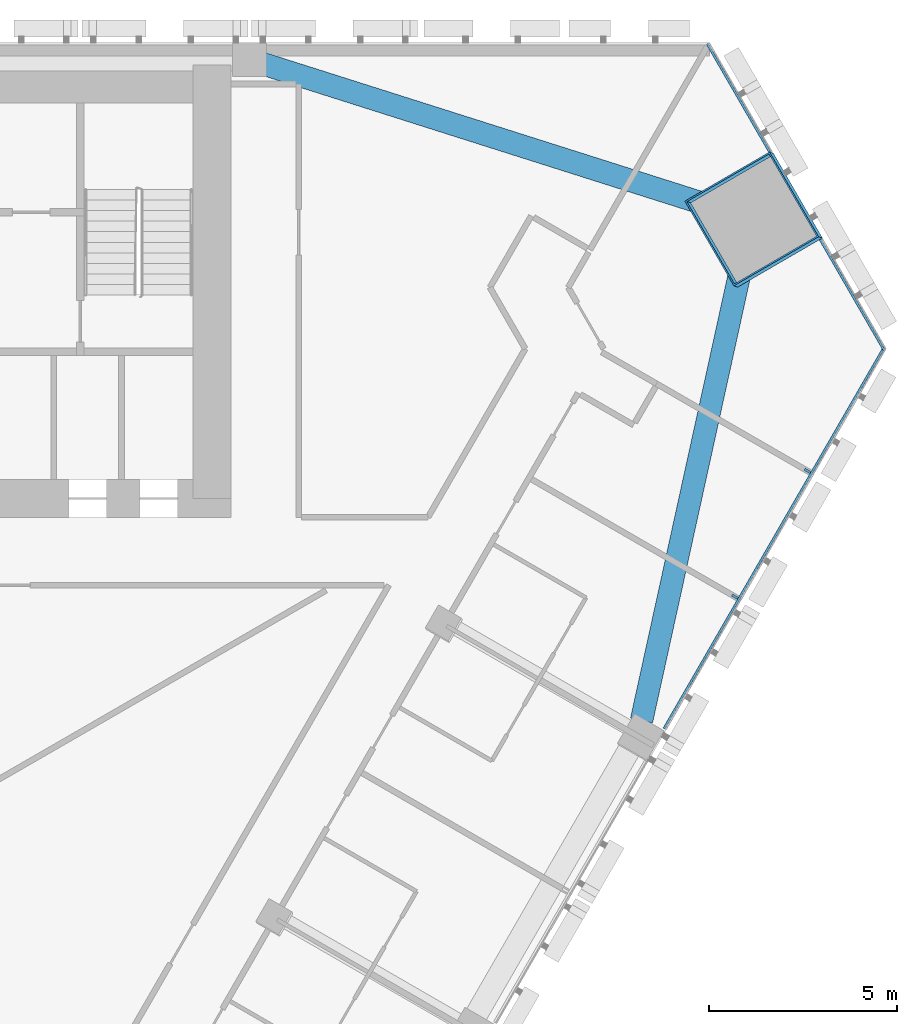
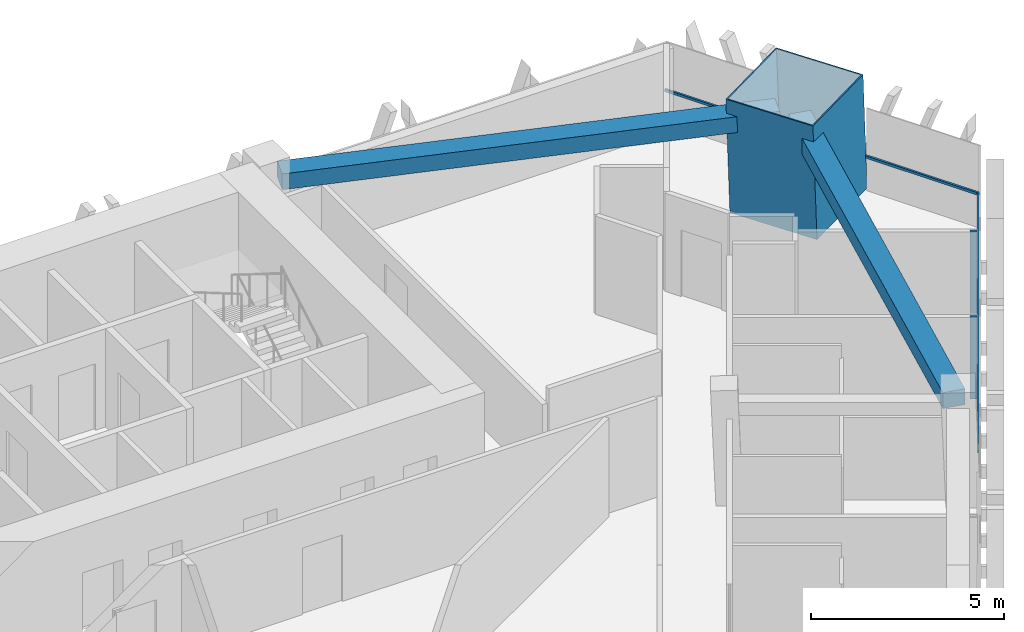
# One storey, part 7 of 17: 6 members, 2 beams, 2 elements without a shape of their own.
"""IFC4 building model written with IfcOpenShell, lengths in metres."""

from ifc_helpers import new_model, si_unit, direction, frame, origin, origin_2d, place, context, subcontext, project, spatial, rectangle, hollow_rectangle, extrude, material, layer, layer_set, material_profile, profile_set, type_object, element, aggregate, save


model = new_model("IFC4")

# Units and contexts
model_context = context("Model", 3, precision=1e-05, world=origin(), true_north=direction((0.0, 1.0)))
body_context = subcontext(model_context, "Body", "Model", "MODEL_VIEW")
ifc_project = project(units=[si_unit("LENGTHUNIT", "METRE"), si_unit("AREAUNIT", "SQUARE_METRE"), si_unit("VOLUMEUNIT", "CUBIC_METRE"), si_unit("PLANEANGLEUNIT", "RADIAN"), si_unit("MASSUNIT", "GRAM", prefix="KILO")], contexts=[model_context])

# Site, building, storey
site_placement = place(None, origin())
site = spatial("IfcSite", under=ifc_project, at=site_placement, CompositionType="ELEMENT")
building_placement = place(site_placement, origin())
building = spatial("IfcBuilding", under=site, at=building_placement, Name="Altiplano Prism Tower", CompositionType="ELEMENT")
storey_placement = place(building_placement, frame((0.0, 0.0, 55.800048828125)))
storey = spatial("IfcBuildingStorey", under=building, at=storey_placement, Name="L13", CompositionType="ELEMENT", Elevation=55.800048828125)

# Curtain wall, members
ifc_material_1 = material(Name="Aluminium and glass", Category="aluminium")
ifc_layer = layer(ifc_material_1, 0.280029296875)
ifc_layer_set = layer_set([ifc_layer], Name="Aluminium and glass")
curtain_wall_type = type_object("IfcCurtainWallType", Name="CW1 typical co-living unitised curtain wall", PredefinedType="NOTDEFINED", material=ifc_layer_set)
curtain_wall_1_placement = place(storey_placement, origin())
curtain_wall_1 = element("IfcCurtainWall", 1, at=curtain_wall_1_placement, inside=storey, type_object=curtain_wall_type, Name="CW1 curtain wall south-east face L13", PredefinedType="NOTDEFINED")
ifc_material_2 = material(Name="Aluminium", Category="aluminium")
ifc_material_profile_1 = material_profile(ifc_material_2, rectangle(XDim=0.179931640625, YDim=0.06494140625, at=origin_2d()), Name="CW1 mullion 65 x 180")
ifc_profile_set_1 = profile_set([ifc_material_profile_1], Name="Aluminium")
member_type_1 = type_object("IfcMemberType", Name="CW1 mullion 65 x 180", PredefinedType="MULLION", material=ifc_profile_set_1)
member_1_placement = place(storey_placement, frame((111.382080078125, 90.291748046875, 0.0), z_axis=(0.0, 0.0, 1.0), x_axis=(-0.866025408218, 0.499999992322, 0.0)))
member_1 = element("IfcMember", 2, at=member_1_placement, type_object=member_type_1, Name="CW1 mullion", PredefinedType="MULLION", context=body_context, shape_type="SweptSolid", body=[
    extrude(rectangle(XDim=0.179931640625, YDim=0.06494140625, at=origin_2d()), origin(), (0.0, 0.0, 1.0), 2.599853515625),
])
member_2_placement = place(storey_placement, frame((113.309326171875, 93.6298828125, 0.0), z_axis=(0.0, 0.0, 1.0), x_axis=(-0.866025408218, 0.499999992322, 0.0)))
member_2 = element("IfcMember", 3, at=member_2_placement, type_object=member_type_1, Name="CW1 mullion", PredefinedType="MULLION", context=body_context, shape_type="SweptSolid", body=[
    extrude(rectangle(XDim=0.179931640625, YDim=0.06494140625, at=origin_2d()), origin(), (0.0, 0.0, 1.0), 2.599853515625),
])
ifc_material_profile_2 = material_profile(ifc_material_2, rectangle(XDim=0.06005859375, YDim=0.080078125, at=origin_2d()), Name="CW1 transom 80 x 60")
ifc_profile_set_2 = profile_set([ifc_material_profile_2], Name="Aluminium")
member_type_2 = type_object("IfcMemberType", Name="CW1 transom 80 x 60", PredefinedType="USERDEFINED", material=ifc_profile_set_2)
member_3_placement = place(storey_placement, frame((109.500732421875, 86.793212890625, 1.099853515625), z_axis=(0.500005931509, 0.866021979199, 0.0), x_axis=(-0.866021979199, 0.500005931509, 0.0)))
member_3 = element("IfcMember", 4, at=member_3_placement, type_object=member_type_2, Name="CW1 transom", ObjectType="TRANSOM", PredefinedType="USERDEFINED", context=body_context, shape_type="SweptSolid", body=[
    extrude(rectangle(XDim=0.06005859375, YDim=0.080078125, at=origin_2d()), origin(), (0.0, 0.0, 1.0), 11.679443359375),
])
aggregate(curtain_wall_1, [member_1, member_2, member_3])

curtain_wall_2_placement = place(storey_placement, origin())
curtain_wall_2 = element("IfcCurtainWall", 5, at=curtain_wall_2_placement, inside=storey, type_object=curtain_wall_type, Name="CW1 curtain wall north-east chamfer L13", PredefinedType="NOTDEFINED")
member_4_placement = place(storey_placement, frame((115.340576171875, 96.837890625, 1.099853515625), z_axis=(-0.499986192784, 0.866033375237, 0.0), x_axis=(-0.866033375237, -0.499986192784, 0.0)))
member_4 = element("IfcMember", 6, at=member_4_placement, type_object=member_type_2, Name="CW1 transom", ObjectType="TRANSOM", PredefinedType="USERDEFINED", context=body_context, shape_type="SweptSolid", body=[
    extrude(rectangle(XDim=0.06005859375, YDim=0.080078125, at=origin_2d()), origin(), (0.0, 0.0, 1.0), 3.39208984375),
])
member_5_placement = place(storey_placement, frame((112.304443359375, 102.0966796875, 1.099853515625), z_axis=(-0.499984060977, 0.866034605988, 0.0), x_axis=(-0.866034605988, -0.499984060977, 0.0)))
member_5 = element("IfcMember", 7, at=member_5_placement, type_object=member_type_2, Name="CW1 transom", ObjectType="TRANSOM", PredefinedType="USERDEFINED", context=body_context, shape_type="SweptSolid", body=[
    extrude(rectangle(XDim=0.06005859375, YDim=0.080078125, at=origin_2d()), origin(), (0.0, 0.0, 1.0), 3.31201171875),
])
aggregate(curtain_wall_2, [member_4, member_5])

# Beams
ifc_material_3 = material(Name="Concrete C60/75", Category="concrete")
ifc_material_profile_3 = material_profile(ifc_material_3, rectangle(XDim=0.60009765625, YDim=0.5, at=origin_2d()), Name="Edge beam 600x500")
ifc_profile_set_3 = profile_set([ifc_material_profile_3], Name="Concrete C60/75")
beam_type = type_object("IfcBeamType", Name="Edge beam 600x500", PredefinedType="SPANDREL", material=ifc_profile_set_3)
beam_1_placement = place(storey_placement, frame((108.902587890625, 87.007080078125, 2.849853515625), z_axis=(0.214554700395, 0.976711974196, 0.0), x_axis=(-0.976711974196, 0.214554700395, 0.0)))
element("IfcBeam", 8, at=beam_1_placement, inside=storey, type_object=beam_type, Name="Edge beam P24-M2 L14", PredefinedType="SPANDREL", context=body_context, shape_type="SweptSolid", body=[
    extrude(rectangle(XDim=0.60009765625, YDim=0.5, at=origin_2d()), origin(), (0.0, 0.0, 1.0), 13.18017578125),
])
beam_2_placement = place(storey_placement, frame((111.39794921875, 100.4560546875, 2.849853515625), z_axis=(-0.9531398684, 0.302529984078, 0.0), x_axis=(-0.302529984078, -0.9531398684, 0.0)))
element("IfcBeam", 9, at=beam_2_placement, inside=storey, type_object=beam_type, Name="Edge beam M2-P01 L14", PredefinedType="SPANDREL", context=body_context, shape_type="SweptSolid", body=[
    extrude(rectangle(XDim=0.60009765625, YDim=0.5, at=origin_2d()), origin(), (0.0, 0.0, 1.0), 13.179931640625),
])

# Member
ifc_material_4 = material(Name="Steel S460", Category="steel")
ifc_material_profile_4 = material_profile(ifc_material_4, hollow_rectangle(XDim=2.60009765625, YDim=2.60009765625, WallThickness=0.0400390625, at=origin_2d()), Name="Mega column tube 2600")
ifc_profile_set_4 = profile_set([ifc_material_profile_4], Name="Steel S460")
member_type_3 = type_object("IfcMemberType", Name="Mega column tube 2600", PredefinedType="POST", material=ifc_profile_set_4)
member_6_placement = place(storey_placement, frame((111.92919921875, 100.28662109375, 0.0), z_axis=(-0.028403739082, 0.009219352065, 0.999554016126), x_axis=(0.50074732631, -0.865308502834, 0.022210585697)))
element("IfcMember", 10, at=member_6_placement, inside=storey, type_object=member_type_3, Name="Mega column tube M2 L13", PredefinedType="POST", context=body_context, shape_type="SweptSolid", body=[
    extrude(hollow_rectangle(XDim=2.60009765625, YDim=2.60009765625, WallThickness=0.0400390625, at=origin_2d()), origin(), (0.0, 0.0, 1.0), 3.6015625),
])

save(model, "model.ifc")
